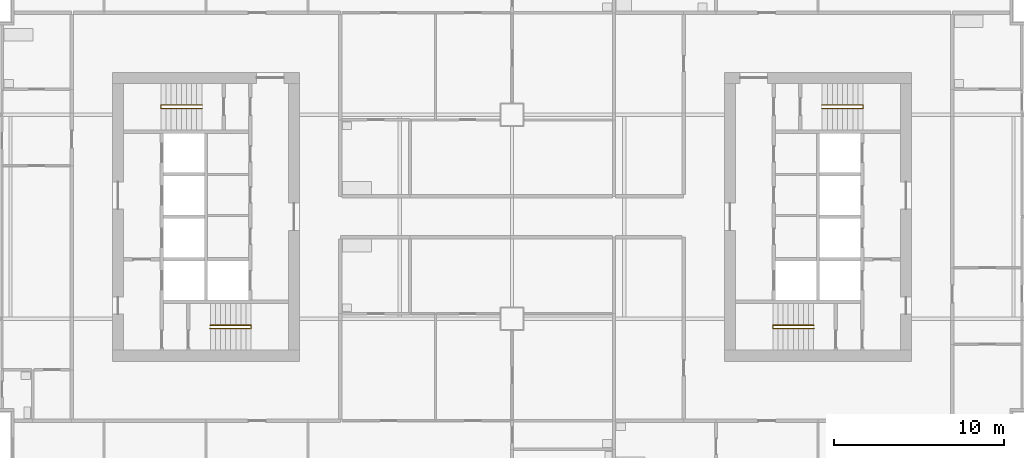
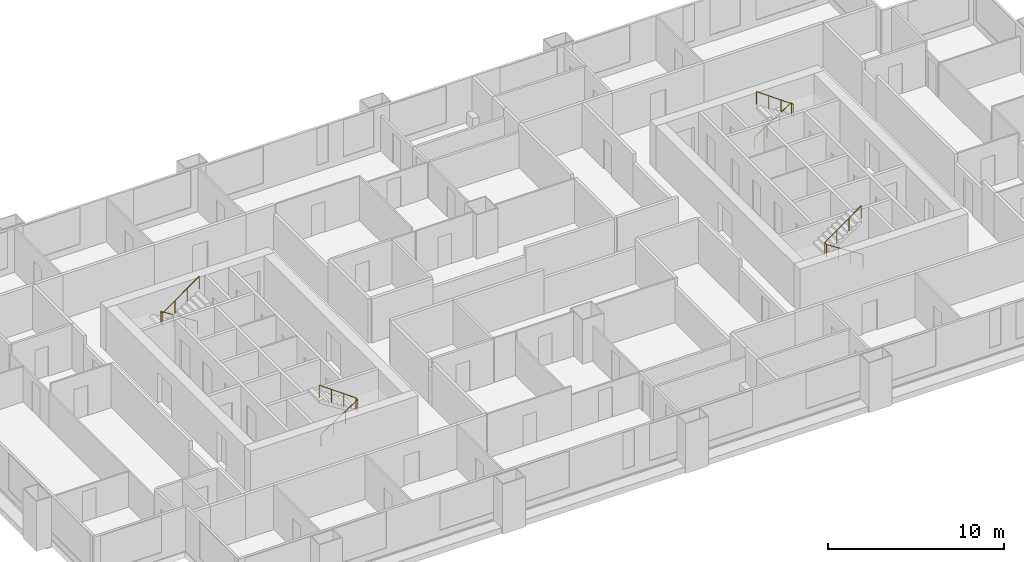
# One storey, part 10 of 11: 4 railings.
"""IFC4 building model written with IfcOpenShell, lengths in metres."""

from ifc_helpers import new_model, si_unit, direction, frame, origin, origin_2d, place, context, subcontext, project, spatial, circle, extrude, material, type_object, element, save


model = new_model("IFC4")

# Units and contexts
model_context = context("Model", 3, precision=1e-05, world=origin(), true_north=direction((0.0, 1.0)))
body_context = subcontext(model_context, "Body", "Model", "MODEL_VIEW")
ifc_project = project(units=[si_unit("LENGTHUNIT", "METRE"), si_unit("AREAUNIT", "SQUARE_METRE"), si_unit("VOLUMEUNIT", "CUBIC_METRE"), si_unit("PLANEANGLEUNIT", "RADIAN"), si_unit("MASSUNIT", "GRAM", prefix="KILO")], contexts=[model_context])

# Site, building, storey
site_placement = place(None, origin())
site = spatial("IfcSite", under=ifc_project, at=site_placement, CompositionType="ELEMENT")
building_placement = place(site_placement, origin())
building = spatial("IfcBuilding", under=site, at=building_placement, Name="Kitamizu Gate Tower and Museum", CompositionType="ELEMENT")
storey_placement = place(building_placement, frame((0.0, 0.0, 120.75)))
storey = spatial("IfcBuildingStorey", under=building, at=storey_placement, Name="L31", CompositionType="ELEMENT", Elevation=120.75)

# Railings
ifc_material = material(Name="Stainless steel SUS304", Category="steel")
railing_type = type_object("IfcRailingType", Name="Stair handrail 900", PredefinedType="HANDRAIL", material=ifc_material)
railing_1_placement = place(storey_placement, frame((18.25, 23.425048828125, 0.191650390625)))
element("IfcRailing", 1, at=railing_1_placement, inside=storey, type_object=railing_type, Name="Stair handrail ST1", PredefinedType="HANDRAIL", context=body_context, shape_type="SweptSolid", body=[
    extrude(circle(Radius=0.02392578125, at=origin_2d()), frame((0.0, 0.0, 0.8759765625), z_axis=(0.842668169335, 0.0, 0.538433242278), x_axis=(0.0, 1.0, 0.0)), (0.0, 0.0, 1.0), 2.847900390625),
    extrude(circle(Radius=0.02392578125, at=origin_2d()), frame((2.39990234375, 0.0, 2.4091796875), z_axis=(0.0, 1.0, 0.0), x_axis=(-1.0, 0.0, 0.0)), (0.0, 0.0, 1.0), 0.199951171875),
    extrude(circle(Radius=0.02392578125, at=origin_2d()), frame((2.39990234375, 0.199951171875, 2.4091796875), z_axis=(-0.81202760531, 0.0, 0.583619026604), x_axis=(0.0, -1.0, 0.0)), (0.0, 0.0, 1.0), 2.955322265625),
    extrude(circle(Radius=0.02099609375, at=origin_2d()), origin(), (0.0, 0.0, 1.0), 0.851806640625),
    extrude(circle(Radius=0.02099609375, at=origin_2d()), frame((0.800048828125, 0.0, 0.51123046875)), (0.0, 0.0, 1.0), 0.851806640625),
    extrude(circle(Radius=0.02099609375, at=origin_2d()), frame((1.599853515625, 0.0, 1.022216796875)), (0.0, 0.0, 1.0), 0.851806640625),
    extrude(circle(Radius=0.02099609375, at=origin_2d()), frame((2.39990234375, 0.0, 1.533447265625)), (0.0, 0.0, 1.0), 0.851806640625),
    extrude(circle(Radius=0.02099609375, at=origin_2d()), frame((2.39990234375, 0.199951171875, 1.533447265625)), (0.0, 0.0, 1.0), 0.851806640625),
    extrude(circle(Radius=0.02099609375, at=origin_2d()), frame((1.599853515625, 0.199951171875, 2.1083984375)), (0.0, 0.0, 1.0), 0.851806640625),
    extrude(circle(Radius=0.02099609375, at=origin_2d()), frame((0.800048828125, 0.199951171875, 2.683349609375)), (0.0, 0.0, 1.0), 0.851806640625),
    extrude(circle(Radius=0.02099609375, at=origin_2d()), frame((0.0, 0.199951171875, 3.25830078125)), (0.0, 0.0, 1.0), 0.851806640625),
])
railing_2_placement = place(storey_placement, frame((17.75, 36.574951171875, 0.191650390625)))
element("IfcRailing", 2, at=railing_2_placement, inside=storey, type_object=railing_type, Name="Stair handrail ST2", PredefinedType="HANDRAIL", context=body_context, shape_type="SweptSolid", body=[
    extrude(circle(Radius=0.02392578125, at=origin_2d()), frame((0.0, 0.0, 0.8759765625), z_axis=(-0.842668169335, 0.0, 0.538433242278), x_axis=(0.0, -1.0, 0.0)), (0.0, 0.0, 1.0), 2.847900390625),
    extrude(circle(Radius=0.02392578125, at=origin_2d()), frame((-2.39990234375, 0.0, 2.4091796875), z_axis=(0.0, -1.0, 0.0), x_axis=(1.0, 0.0, 0.0)), (0.0, 0.0, 1.0), 0.199951171875),
    extrude(circle(Radius=0.02392578125, at=origin_2d()), frame((-2.39990234375, -0.199951171875, 2.4091796875), z_axis=(0.81202760531, 0.0, 0.583619026604), x_axis=(0.0, 1.0, 0.0)), (0.0, 0.0, 1.0), 2.955322265625),
    extrude(circle(Radius=0.02099609375, at=origin_2d()), origin(), (0.0, 0.0, 1.0), 0.851806640625),
    extrude(circle(Radius=0.02099609375, at=origin_2d()), frame((-0.800048828125, 0.0, 0.51123046875)), (0.0, 0.0, 1.0), 0.851806640625),
    extrude(circle(Radius=0.02099609375, at=origin_2d()), frame((-1.599853515625, 0.0, 1.022216796875)), (0.0, 0.0, 1.0), 0.851806640625),
    extrude(circle(Radius=0.02099609375, at=origin_2d()), frame((-2.39990234375, 0.0, 1.533447265625)), (0.0, 0.0, 1.0), 0.851806640625),
    extrude(circle(Radius=0.02099609375, at=origin_2d()), frame((-2.39990234375, -0.199951171875, 1.533447265625)), (0.0, 0.0, 1.0), 0.851806640625),
    extrude(circle(Radius=0.02099609375, at=origin_2d()), frame((-1.599853515625, -0.199951171875, 2.1083984375)), (0.0, 0.0, 1.0), 0.851806640625),
    extrude(circle(Radius=0.02099609375, at=origin_2d()), frame((-0.800048828125, -0.199951171875, 2.683349609375)), (0.0, 0.0, 1.0), 0.851806640625),
    extrude(circle(Radius=0.02099609375, at=origin_2d()), frame((0.0, -0.199951171875, 3.25830078125)), (0.0, 0.0, 1.0), 0.851806640625),
])
railing_3_placement = place(storey_placement, frame((53.75, 23.425048828125, 0.191650390625)))
element("IfcRailing", 3, at=railing_3_placement, inside=storey, type_object=railing_type, Name="Stair handrail ST3", PredefinedType="HANDRAIL", context=body_context, shape_type="SweptSolid", body=[
    extrude(circle(Radius=0.02392578125, at=origin_2d()), frame((0.0, 0.0, 0.8759765625), z_axis=(-0.842668169335, 0.0, 0.538433242278), x_axis=(0.0, -1.0, 0.0)), (0.0, 0.0, 1.0), 2.847900390625),
    extrude(circle(Radius=0.02392578125, at=origin_2d()), frame((-2.39990234375, 0.0, 2.4091796875), z_axis=(0.0, 1.0, 0.0), x_axis=(-1.0, 0.0, 0.0)), (0.0, 0.0, 1.0), 0.199951171875),
    extrude(circle(Radius=0.02392578125, at=origin_2d()), frame((-2.39990234375, 0.199951171875, 2.4091796875), z_axis=(0.81202760531, 0.0, 0.583619026604), x_axis=(0.0, 1.0, 0.0)), (0.0, 0.0, 1.0), 2.955322265625),
    extrude(circle(Radius=0.02099609375, at=origin_2d()), origin(), (0.0, 0.0, 1.0), 0.851806640625),
    extrude(circle(Radius=0.02099609375, at=origin_2d()), frame((-0.800048828125, 0.0, 0.51123046875)), (0.0, 0.0, 1.0), 0.851806640625),
    extrude(circle(Radius=0.02099609375, at=origin_2d()), frame((-1.599853515625, 0.0, 1.022216796875)), (0.0, 0.0, 1.0), 0.851806640625),
    extrude(circle(Radius=0.02099609375, at=origin_2d()), frame((-2.39990234375, 0.0, 1.533447265625)), (0.0, 0.0, 1.0), 0.851806640625),
    extrude(circle(Radius=0.02099609375, at=origin_2d()), frame((-2.39990234375, 0.199951171875, 1.533447265625)), (0.0, 0.0, 1.0), 0.851806640625),
    extrude(circle(Radius=0.02099609375, at=origin_2d()), frame((-1.599853515625, 0.199951171875, 2.1083984375)), (0.0, 0.0, 1.0), 0.851806640625),
    extrude(circle(Radius=0.02099609375, at=origin_2d()), frame((-0.800048828125, 0.199951171875, 2.683349609375)), (0.0, 0.0, 1.0), 0.851806640625),
    extrude(circle(Radius=0.02099609375, at=origin_2d()), frame((0.0, 0.199951171875, 3.25830078125)), (0.0, 0.0, 1.0), 0.851806640625),
])
railing_4_placement = place(storey_placement, frame((54.25, 36.574951171875, 0.191650390625)))
element("IfcRailing", 4, at=railing_4_placement, inside=storey, type_object=railing_type, Name="Stair handrail ST4", PredefinedType="HANDRAIL", context=body_context, shape_type="SweptSolid", body=[
    extrude(circle(Radius=0.02392578125, at=origin_2d()), frame((0.0, 0.0, 0.8759765625), z_axis=(0.842668169335, 0.0, 0.538433242278), x_axis=(0.0, 1.0, 0.0)), (0.0, 0.0, 1.0), 2.847900390625),
    extrude(circle(Radius=0.02392578125, at=origin_2d()), frame((2.39990234375, 0.0, 2.4091796875), z_axis=(0.0, -1.0, 0.0), x_axis=(1.0, 0.0, 0.0)), (0.0, 0.0, 1.0), 0.199951171875),
    extrude(circle(Radius=0.02392578125, at=origin_2d()), frame((2.39990234375, -0.199951171875, 2.4091796875), z_axis=(-0.81202760531, 0.0, 0.583619026604), x_axis=(0.0, -1.0, 0.0)), (0.0, 0.0, 1.0), 2.955322265625),
    extrude(circle(Radius=0.02099609375, at=origin_2d()), origin(), (0.0, 0.0, 1.0), 0.851806640625),
    extrude(circle(Radius=0.02099609375, at=origin_2d()), frame((0.800048828125, 0.0, 0.51123046875)), (0.0, 0.0, 1.0), 0.851806640625),
    extrude(circle(Radius=0.02099609375, at=origin_2d()), frame((1.599853515625, 0.0, 1.022216796875)), (0.0, 0.0, 1.0), 0.851806640625),
    extrude(circle(Radius=0.02099609375, at=origin_2d()), frame((2.39990234375, 0.0, 1.533447265625)), (0.0, 0.0, 1.0), 0.851806640625),
    extrude(circle(Radius=0.02099609375, at=origin_2d()), frame((2.39990234375, -0.199951171875, 1.533447265625)), (0.0, 0.0, 1.0), 0.851806640625),
    extrude(circle(Radius=0.02099609375, at=origin_2d()), frame((1.599853515625, -0.199951171875, 2.1083984375)), (0.0, 0.0, 1.0), 0.851806640625),
    extrude(circle(Radius=0.02099609375, at=origin_2d()), frame((0.800048828125, -0.199951171875, 2.683349609375)), (0.0, 0.0, 1.0), 0.851806640625),
    extrude(circle(Radius=0.02099609375, at=origin_2d()), frame((0.0, -0.199951171875, 3.25830078125)), (0.0, 0.0, 1.0), 0.851806640625),
])

save(model, "model.ifc")
